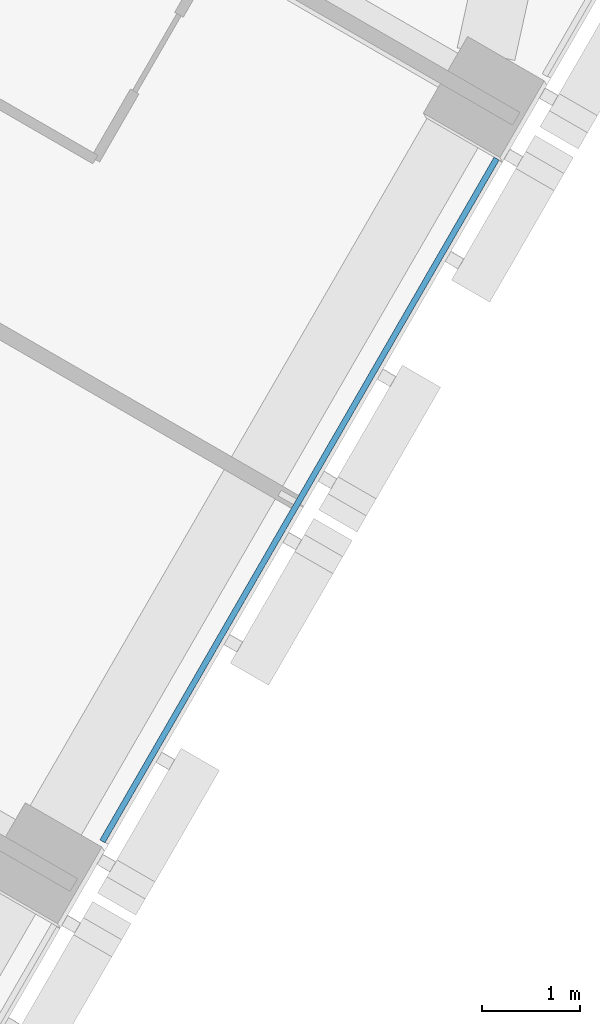
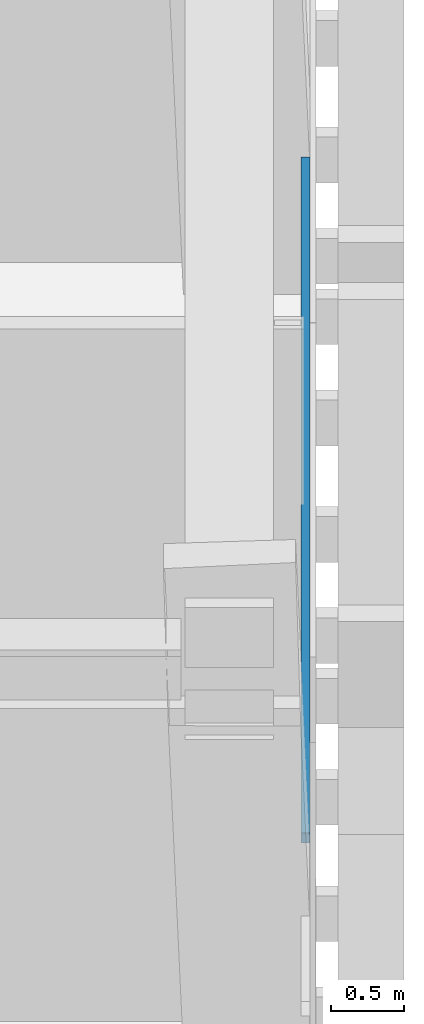
# One storey, part 5 of 18: 1 member, 1 element without a shape of its own.
"""IFC4 building model written with IfcOpenShell, lengths in metres."""

import ifcopenshell
import ifcopenshell.guid

model = None  # the IFC model being written
_history = None  # IfcOwnerHistory: only IFC2X3 demands one
_inside = {}  # id of a spatial element -> (the spatial element, [elements in it])
_under = {}  # id of a project, library or spatial element -> (it, [spatial elements below it])
_declared = {}  # id of a project -> (the project, [libraries it declares])
_typed = {}  # id of a type object -> (the type object, [elements of that type])
_made_of = {}  # id of a material, layer set ... -> (it, [elements and type objects made of it])


def new_model(schema):
    """Start an empty IFC model of exactly this schema.

    Asked for "IFC4X3", IfcOpenShell would pick the latest addendum, in which some entities
    have other attributes; the version numbers below select the first issue.
    IFC2X3 requires an IfcOwnerHistory on every rooted entity: one is made here for all.
    """
    global model, _history
    if schema == "IFC4X3":
        model = ifcopenshell.file(schema_version=(4, 3, 0, 0))
    else:
        model = ifcopenshell.file(schema=schema)
    _inside.clear()
    _under.clear()
    _declared.clear()
    _typed.clear()
    _made_of.clear()
    _history = None
    if model.schema == "IFC2X3":
        org = make("IfcOrganization", Name="unknown")
        user = make(
            "IfcPersonAndOrganization",
            ThePerson=make("IfcPerson", FamilyName="unknown"),
            TheOrganization=org,
        )
        app = make(
            "IfcApplication",
            ApplicationDeveloper=org,
            Version="unknown",
            ApplicationFullName="unknown",
            ApplicationIdentifier="unknown",
        )
        _history = make(
            "IfcOwnerHistory",
            OwningUser=user,
            OwningApplication=app,
            ChangeAction="ADDED",
            CreationDate=0,
        )
    return model


def make(cls, **values):
    """One entity of the class cls with the attributes given. An attribute that is None is left unset."""
    return model.create_entity(
        cls, **{name: value for name, value in values.items() if value is not None}
    )


def rooted(cls, **values):
    """An entity with a GlobalId (a new one), such as an element, a storey or a relation."""
    return make(cls, GlobalId=ifcopenshell.guid.new(), OwnerHistory=_history, **values)


def si_unit(unit_type, name, prefix=None):
    """IfcSIUnit, for example si_unit("LENGTHUNIT", "METRE", prefix="MILLI")."""
    return make("IfcSIUnit", UnitType=unit_type, Prefix=prefix, Name=name)


def assignment(units):
    """IfcUnitAssignment: the units of a project."""
    return None if units is None else make("IfcUnitAssignment", Units=units)


def point(xyz):
    """IfcCartesianPoint."""
    return None if xyz is None else make("IfcCartesianPoint", Coordinates=xyz)


def direction(xyz):
    """IfcDirection."""
    return None if xyz is None else make("IfcDirection", DirectionRatios=xyz)


def frame(location, z_axis=None, x_axis=None):
    """IfcAxis2Placement3D, a coordinate frame: its origin and axes. An axis left out is left unset."""
    return make(
        "IfcAxis2Placement3D",
        Location=point(location),
        Axis=direction(z_axis),
        RefDirection=direction(x_axis),
    )


def frame_2d(location, x_axis=None):
    """IfcAxis2Placement2D, a coordinate frame in the plane: its origin and x axis."""
    return make(
        "IfcAxis2Placement2D", Location=point(location), RefDirection=direction(x_axis)
    )


def origin():
    """The frame at (0, 0, 0) with its axes left unset."""
    return frame((0.0, 0.0, 0.0))


def origin_2d():
    """The frame at (0, 0) in the plane with its x axis left unset."""
    return frame_2d((0.0, 0.0))


def place(relative_to, where):
    """IfcLocalPlacement: puts the frame where relative to a parent placement (None: the world)."""
    return make(
        "IfcLocalPlacement", PlacementRelTo=relative_to, RelativePlacement=where
    )


def context(
    kind, dimensions, precision=None, world=None, true_north=None, identifier=None
):
    """IfcGeometricRepresentationContext, for example the 3D "Model" context."""
    return make(
        "IfcGeometricRepresentationContext",
        ContextIdentifier=identifier,
        ContextType=kind,
        CoordinateSpaceDimension=dimensions,
        Precision=precision,
        WorldCoordinateSystem=world,
        TrueNorth=true_north,
    )


def subcontext(parent, identifier, kind, view, scale=None):
    """IfcGeometricRepresentationSubContext, for example "Body" below "Model"."""
    return make(
        "IfcGeometricRepresentationSubContext",
        ContextIdentifier=identifier,
        ContextType=kind,
        ParentContext=parent,
        TargetScale=scale,
        TargetView=view,
    )


def project(units=None, contexts=None):
    """IfcProject with its units and contexts."""
    return rooted(
        "IfcProject",
        Name="project",
        RepresentationContexts=contexts,
        UnitsInContext=assignment(units),
    )


def spatial(cls, under=None, at=None, **own):
    """A site, building, storey or space (cls), placed at a placement, below another one or the project."""
    s = rooted(cls, ObjectPlacement=at, **own)
    if under is not None:
        _under.setdefault(under.id(), (under, []))[1].append(s)
    return s


def profile(cls, at=None, kind="AREA", **sizes):
    """A parametric profile (cls). Its sizes go by their IFC names, for example OverallWidth=200.0."""
    return make(cls, ProfileType=kind, Position=at, **sizes)


def rectangle(**sizes):
    """IfcRectangleProfileDef."""
    return profile("IfcRectangleProfileDef", **sizes)


def extrude(swept, where, along, depth):
    """IfcExtrudedAreaSolid: the profile swept, set in the frame where, extruded along a direction by depth."""
    return make(
        "IfcExtrudedAreaSolid",
        SweptArea=swept,
        Position=where,
        ExtrudedDirection=direction(along),
        Depth=depth,
    )


def shape(context_of_items, identifier, shape_type, items):
    """IfcShapeRepresentation: the items that make up one representation, for example the "Body"."""
    return make(
        "IfcShapeRepresentation",
        ContextOfItems=context_of_items,
        RepresentationIdentifier=identifier,
        RepresentationType=shape_type,
        Items=items,
    )


def material(Name=None, Category=None):
    """IfcMaterial."""
    return make("IfcMaterial", Name=Name, Category=Category)


def layer(
    of_material, thickness, ventilated=None, Name=None, Category=None, Priority=None
):
    """IfcMaterialLayer: one layer of a wall or slab, of a material (None: an air gap)."""
    return make(
        "IfcMaterialLayer",
        Material=of_material,
        LayerThickness=thickness,
        IsVentilated=ventilated,
        Name=Name,
        Category=Category,
        Priority=Priority,
    )


def layer_set(layers, Name=None):
    """IfcMaterialLayerSet."""
    return make("IfcMaterialLayerSet", MaterialLayers=layers, LayerSetName=Name)


def material_profile(
    of_material, cross_section, Name=None, Category=None, Priority=None
):
    """IfcMaterialProfile: a cross section and its material."""
    return make(
        "IfcMaterialProfile",
        Name=Name,
        Material=of_material,
        Profile=cross_section,
        Priority=Priority,
        Category=Category,
    )


def profile_set(profiles, Name=None, composite=None):
    """IfcMaterialProfileSet."""
    return make(
        "IfcMaterialProfileSet",
        Name=Name,
        MaterialProfiles=profiles,
        CompositeProfile=composite,
    )


def made_of(thing, what):
    """Note that an element or type object is made of a material, layer set ...; save() writes the relation."""
    if what is not None:
        _made_of.setdefault(what.id(), (what, []))[1].append(thing)
    return thing


def type_object(cls, material=None, **own):
    """A type object (cls), such as IfcWallType, which elements share."""
    return made_of(rooted(cls, **own), material)


def element(
    cls,
    number,
    at=None,
    inside=None,
    cuts=None,
    type_object=None,
    material=None,
    context=None,
    identifier="Body",
    shape_type=None,
    held_by="IfcProductDefinitionShape",
    body=None,
    shapes=None,
    **own,
):
    """One element of the class cls, such as IfcWall. Its Tag is "e" and its number.

    at: its placement. inside: the storey or other place that contains it. cuts: it is an
    opening in that element (IfcRelVoidsElement). A single representation is given by context,
    identifier, shape_type and body (its items); several are given by shapes. held_by: the class
    of the entity that holds the representations. save() writes the other relations.
    """
    e = rooted(cls, Tag="e%d" % number, ObjectPlacement=at, **own)
    if body is not None:
        shapes = [shape(context, identifier, shape_type, body)]
    if shapes is not None:
        e.Representation = make(held_by, Representations=shapes)
    if inside is not None:
        _inside.setdefault(inside.id(), (inside, []))[1].append(e)
    if cuts is not None:
        rooted(
            "IfcRelVoidsElement", RelatingBuildingElement=cuts, RelatedOpeningElement=e
        )
    if type_object is not None:
        _typed.setdefault(type_object.id(), (type_object, []))[1].append(e)
    return made_of(e, material)


def aggregate(whole, parts):
    """IfcRelAggregates: a whole, such as a stair, and the parts it consists of."""
    return rooted("IfcRelAggregates", RelatingObject=whole, RelatedObjects=parts)


def save(model, path):
    """Write the relations noted so far, then the file.

    IfcRelAggregates (storeys below a building ...), IfcRelContainedInSpatialStructure (elements
    in a storey), IfcRelDefinesByType, IfcRelAssociatesMaterial and IfcRelDeclares: one each for
    every whole, place, type object, material and project.
    """
    for whole, parts in _under.values():
        aggregate(whole, parts)
    for where, things in _inside.values():
        rooted(
            "IfcRelContainedInSpatialStructure",
            RelatedElements=things,
            RelatingStructure=where,
        )
    for kind, things in _typed.values():
        rooted("IfcRelDefinesByType", RelatedObjects=things, RelatingType=kind)
    for what, things in _made_of.values():
        rooted("IfcRelAssociatesMaterial", RelatedObjects=things, RelatingMaterial=what)
    for by, libraries in _declared.values():
        rooted("IfcRelDeclares", RelatingContext=by, RelatedDefinitions=libraries)
    model.write(path)


model = new_model("IFC4")

# Units and contexts
model_context = context("Model", 3, precision=1e-05, world=origin(), true_north=direction((0.0, 1.0)))
body_context = subcontext(model_context, "Body", "Model", "MODEL_VIEW")
ifc_project = project(units=[si_unit("LENGTHUNIT", "METRE"), si_unit("AREAUNIT", "SQUARE_METRE"), si_unit("VOLUMEUNIT", "CUBIC_METRE"), si_unit("PLANEANGLEUNIT", "RADIAN"), si_unit("MASSUNIT", "GRAM", prefix="KILO")], contexts=[model_context])

# Site, building, storey
site_placement = place(None, origin())
site = spatial("IfcSite", under=ifc_project, at=site_placement, CompositionType="ELEMENT")
building_placement = place(site_placement, origin())
building = spatial("IfcBuilding", under=site, at=building_placement, Name="Altiplano Prism Tower", CompositionType="ELEMENT")
storey_placement = place(building_placement, frame((0.0, 0.0, 48.60009765625)))
storey = spatial("IfcBuildingStorey", under=building, at=storey_placement, Name="L11", CompositionType="ELEMENT", Elevation=48.60009765625)

# Curtain wall, member
ifc_material_1 = material(Name="Aluminium and glass", Category="aluminium")
ifc_layer = layer(ifc_material_1, 0.280029296875)
ifc_layer_set = layer_set([ifc_layer], Name="Aluminium and glass")
curtain_wall_type = type_object("IfcCurtainWallType", Name="CW1 typical co-living unitised curtain wall", PredefinedType="NOTDEFINED", material=ifc_layer_set)
curtain_wall_placement = place(storey_placement, origin())
curtain_wall = element("IfcCurtainWall", 1, at=curtain_wall_placement, inside=storey, type_object=curtain_wall_type, Name="CW1 curtain wall south-east face L11", PredefinedType="NOTDEFINED")
ifc_material_2 = material(Name="Aluminium", Category="aluminium")
ifc_material_profile = material_profile(ifc_material_2, rectangle(XDim=0.06005859375, YDim=0.080078125, at=origin_2d()), Name="CW1 transom 80 x 60")
ifc_profile_set = profile_set([ifc_material_profile], Name="Aluminium")
member_type = type_object("IfcMemberType", Name="CW1 transom 80 x 60", PredefinedType="USERDEFINED", material=ifc_profile_set)
member_placement = place(storey_placement, frame((105.16064453125, 78.721923828125, 1.099853515625), z_axis=(0.500012318566, 0.86601829154, 0.0), x_axis=(-0.86601829154, 0.500012318566, 0.0)))
member = element("IfcMember", 2, at=member_placement, type_object=member_type, Name="CW1 transom", ObjectType="TRANSOM", PredefinedType="USERDEFINED", context=body_context, shape_type="SweptSolid", body=[
    extrude(rectangle(XDim=0.06005859375, YDim=0.080078125, at=origin_2d()), origin(), (0.0, 0.0, 1.0), 8.019775390625),
])
aggregate(curtain_wall, [member])

save(model, "model.ifc")
